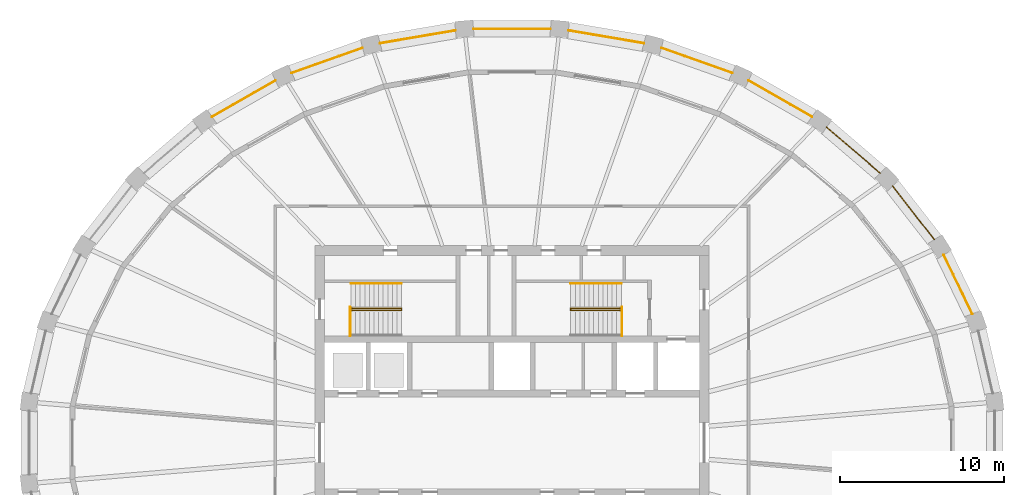
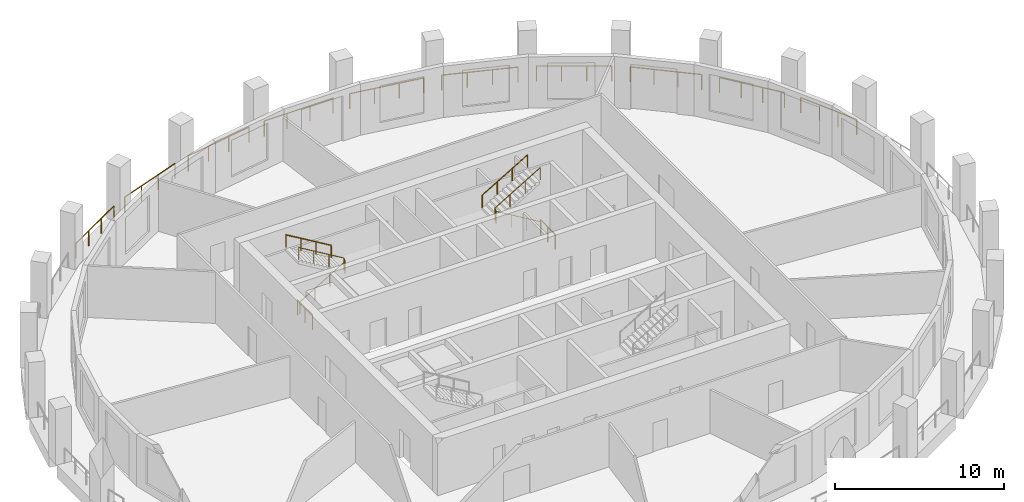
# One storey, part 9 of 10: 16 railings.
"""IFC4 building model written with IfcOpenShell, lengths in metres."""

from ifc_helpers import new_model, si_unit, direction, frame, origin, origin_2d, place, context, subcontext, project, spatial, circle, extrude, material, type_object, element, save


model = new_model("IFC4")

# Units and contexts
model_context = context("Model", 3, precision=1e-05, world=origin(), true_north=direction((0.0, 1.0)))
body_context = subcontext(model_context, "Body", "Model", "MODEL_VIEW")
ifc_project = project(units=[si_unit("LENGTHUNIT", "METRE"), si_unit("AREAUNIT", "SQUARE_METRE"), si_unit("VOLUMEUNIT", "CUBIC_METRE"), si_unit("PLANEANGLEUNIT", "RADIAN"), si_unit("MASSUNIT", "GRAM", prefix="KILO")], contexts=[model_context])

# Site, building, storey
site_placement = place(None, origin())
site = spatial("IfcSite", under=ifc_project, at=site_placement, CompositionType="ELEMENT")
building_placement = place(site_placement, origin())
building = spatial("IfcBuilding", under=site, at=building_placement, Name="Halqa Exchange Tower", CompositionType="ELEMENT")
storey_placement = place(building_placement, frame((0.0, 0.0, 280.300048828125)))
storey = spatial("IfcBuildingStorey", under=building, at=storey_placement, Name="L65", CompositionType="ELEMENT", Elevation=280.300048828125)

# Railings
ifc_material = material(Name="Stainless steel", Category="steel")
railing_type_1 = type_object("IfcRailingType", Name="Guard 1100 stainless steel", PredefinedType="GUARDRAIL", material=ifc_material)
railing_1_placement = place(storey_placement, frame((28.015625, 7.841796875, 0.0)))
element("IfcRailing", 1, at=railing_1_placement, inside=storey, type_object=railing_type_1, Name="Loggia guard 2", PredefinedType="GUARDRAIL", context=body_context, shape_type="SweptSolid", body=[
    extrude(circle(Radius=0.02392578125, at=origin_2d()), frame((0.0, 0.0, 1.076171875), z_axis=(-0.43508435382, 0.900389696221, 0.0), x_axis=(-0.900389696221, -0.43508435382, 0.0)), (0.0, 0.0, 1.0), 3.99072265625),
    extrude(circle(Radius=0.02099609375, at=origin_2d()), origin(), (0.0, 0.0, 1.0), 1.052001953125),
    extrude(circle(Radius=0.02099609375, at=origin_2d()), frame((-0.578857421875, 1.19775390625, 0.0)), (0.0, 0.0, 1.0), 1.052001953125),
    extrude(circle(Radius=0.02099609375, at=origin_2d()), frame((-1.157470703125, 2.3955078125, 0.0)), (0.0, 0.0, 1.0), 1.052001953125),
    extrude(circle(Radius=0.02099609375, at=origin_2d()), frame((-1.736328125, 3.59326171875, 0.0)), (0.0, 0.0, 1.0), 1.052001953125),
])
railing_2_placement = place(storey_placement, frame((25.70166015625, 12.364013671875, 0.0)))
element("IfcRailing", 2, at=railing_2_placement, inside=storey, type_object=railing_type_1, Name="Loggia guard 3", PredefinedType="GUARDRAIL", context=body_context, shape_type="SweptSolid", body=[
    extrude(circle(Radius=0.02392578125, at=origin_2d()), frame((0.0, 0.0, 1.076171875), z_axis=(-0.614791424405, 0.788689739047, 0.0), x_axis=(-0.788689739047, -0.614791424405, 0.0)), (0.0, 0.0, 1.0), 4.13037109375),
    extrude(circle(Radius=0.02099609375, at=origin_2d()), origin(), (0.0, 0.0, 1.0), 1.052001953125),
    extrude(circle(Radius=0.02099609375, at=origin_2d()), frame((-0.846435546875, 1.0859375, 0.0)), (0.0, 0.0, 1.0), 1.052001953125),
    extrude(circle(Radius=0.02099609375, at=origin_2d()), frame((-1.69287109375, 2.171630859375, 0.0)), (0.0, 0.0, 1.0), 1.052001953125),
    extrude(circle(Radius=0.02099609375, at=origin_2d()), frame((-2.539306640625, 3.257568359375, 0.0)), (0.0, 0.0, 1.0), 1.052001953125),
])
railing_3_placement = place(storey_placement, frame((22.406494140625, 16.413330078125, 0.0)))
element("IfcRailing", 3, at=railing_3_placement, inside=storey, type_object=railing_type_1, Name="Loggia guard 4", PredefinedType="GUARDRAIL", context=body_context, shape_type="SweptSolid", body=[
    extrude(circle(Radius=0.02392578125, at=origin_2d()), frame((0.0, 0.0, 1.076171875), z_axis=(-0.759224469346, 0.650828860105, 0.0), x_axis=(-0.650828860105, -0.759224469346, 0.0)), (0.0, 0.0, 1.0), 4.290771484375),
    extrude(circle(Radius=0.02099609375, at=origin_2d()), origin(), (0.0, 0.0, 1.0), 1.052001953125),
    extrude(circle(Radius=0.02099609375, at=origin_2d()), frame((-1.0859375, 0.930908203125, 0.0)), (0.0, 0.0, 1.0), 1.052001953125),
    extrude(circle(Radius=0.02099609375, at=origin_2d()), frame((-2.171630859375, 1.861572265625, 0.0)), (0.0, 0.0, 1.0), 1.052001953125),
    extrude(circle(Radius=0.02099609375, at=origin_2d()), frame((-3.257568359375, 2.79248046875, 0.0)), (0.0, 0.0, 1.0), 1.052001953125),
])
railing_4_placement = place(storey_placement, frame((18.25390625, 19.8369140625, 0.0)))
element("IfcRailing", 4, at=railing_4_placement, inside=storey, type_object=railing_type_1, Name="Loggia guard 5", PredefinedType="GUARDRAIL", context=body_context, shape_type="SweptSolid", body=[
    extrude(circle(Radius=0.02392578125, at=origin_2d()), frame((0.0, 0.0, 1.076171875), z_axis=(-0.867739182738, 0.497019829323, 0.0), x_axis=(-0.497019829323, -0.867739182738, 0.0)), (0.0, 0.0, 1.0), 4.446044921875),
    extrude(circle(Radius=0.02099609375, at=origin_2d()), origin(), (0.0, 0.0, 1.0), 1.052001953125),
    extrude(circle(Radius=0.02099609375, at=origin_2d()), frame((-1.285888671875, 0.736572265625, 0.0)), (0.0, 0.0, 1.0), 1.052001953125),
    extrude(circle(Radius=0.02099609375, at=origin_2d()), frame((-2.572021484375, 1.47314453125, 0.0)), (0.0, 0.0, 1.0), 1.052001953125),
    extrude(circle(Radius=0.02099609375, at=origin_2d()), frame((-3.85791015625, 2.209716796875, 0.0)), (0.0, 0.0, 1.0), 1.052001953125),
])
railing_5_placement = place(storey_placement, frame((13.400390625, 22.50390625, 0.0)))
element("IfcRailing", 5, at=railing_5_placement, inside=storey, type_object=railing_type_1, Name="Loggia guard 6", PredefinedType="GUARDRAIL", context=body_context, shape_type="SweptSolid", body=[
    extrude(circle(Radius=0.02392578125, at=origin_2d()), frame((0.0, 0.0, 1.076171875), z_axis=(-0.942372934401, 0.334564272611, 0.0), x_axis=(-0.334564272611, -0.942372934401, 0.0)), (0.0, 0.0, 1.0), 4.57470703125),
    extrude(circle(Radius=0.02099609375, at=origin_2d()), origin(), (0.0, 0.0, 1.0), 1.052001953125),
    extrude(circle(Radius=0.02099609375, at=origin_2d()), frame((-1.43701171875, 0.51025390625, 0.0)), (0.0, 0.0, 1.0), 1.052001953125),
    extrude(circle(Radius=0.02099609375, at=origin_2d()), frame((-2.8740234375, 1.020263671875, 0.0)), (0.0, 0.0, 1.0), 1.052001953125),
    extrude(circle(Radius=0.02099609375, at=origin_2d()), frame((-4.31103515625, 1.530517578125, 0.0)), (0.0, 0.0, 1.0), 1.052001953125),
])
railing_6_placement = place(storey_placement, frame((8.02880859375, 24.310791015625, 0.0)))
element("IfcRailing", 6, at=railing_6_placement, inside=storey, type_object=railing_type_1, Name="Loggia guard 7", PredefinedType="GUARDRAIL", context=body_context, shape_type="SweptSolid", body=[
    extrude(circle(Radius=0.02392578125, at=origin_2d()), frame((0.0, 0.0, 1.076171875), z_axis=(-0.985768001881, 0.168111410878, 0.0), x_axis=(-0.168111410878, -0.985768001881, 0.0)), (0.0, 0.0, 1.0), 4.658935546875),
    extrude(circle(Radius=0.02099609375, at=origin_2d()), origin(), (0.0, 0.0, 1.0), 1.052001953125),
    extrude(circle(Radius=0.02099609375, at=origin_2d()), frame((-1.53076171875, 0.260986328125, 0.0)), (0.0, 0.0, 1.0), 1.052001953125),
    extrude(circle(Radius=0.02099609375, at=origin_2d()), frame((-3.061767578125, 0.522216796875, 0.0)), (0.0, 0.0, 1.0), 1.052001953125),
    extrude(circle(Radius=0.02099609375, at=origin_2d()), frame((-4.592529296875, 0.783203125, 0.0)), (0.0, 0.0, 1.0), 1.052001953125),
])
railing_7_placement = place(storey_placement, frame((2.343994140625, 25.186279296875, 0.0)))
element("IfcRailing", 7, at=railing_7_placement, inside=storey, type_object=railing_type_1, Name="Loggia guard 8", PredefinedType="GUARDRAIL", context=body_context, shape_type="SweptSolid", body=[
    extrude(circle(Radius=0.02392578125, at=origin_2d()), frame((0.0, 0.0, 1.076171875), z_axis=(-1.0, 0.0, 0.0), x_axis=(0.0, -1.0, 0.0)), (0.0, 0.0, 1.0), 4.68798828125),
    extrude(circle(Radius=0.02099609375, at=origin_2d()), origin(), (0.0, 0.0, 1.0), 1.052001953125),
    extrude(circle(Radius=0.02099609375, at=origin_2d()), frame((-1.562744140625, 0.0, 0.0)), (0.0, 0.0, 1.0), 1.052001953125),
    extrude(circle(Radius=0.02099609375, at=origin_2d()), frame((-3.125244140625, 0.0, 0.0)), (0.0, 0.0, 1.0), 1.052001953125),
    extrude(circle(Radius=0.02099609375, at=origin_2d()), frame((-4.68798828125, 0.0, 0.0)), (0.0, 0.0, 1.0), 1.052001953125),
])
railing_8_placement = place(storey_placement, frame((-3.436279296875, 25.093994140625, 0.0)))
element("IfcRailing", 8, at=railing_8_placement, inside=storey, type_object=railing_type_1, Name="Loggia guard 9", PredefinedType="GUARDRAIL", context=body_context, shape_type="SweptSolid", body=[
    extrude(circle(Radius=0.02392578125, at=origin_2d()), frame((0.0, 0.0, 1.076171875), z_axis=(-0.985768001881, -0.168111410878, 0.0), x_axis=(0.168111410878, -0.985768001881, 0.0)), (0.0, 0.0, 1.0), 4.658935546875),
    extrude(circle(Radius=0.02099609375, at=origin_2d()), origin(), (0.0, 0.0, 1.0), 1.052001953125),
    extrude(circle(Radius=0.02099609375, at=origin_2d()), frame((-1.53076171875, -0.260986328125, 0.0)), (0.0, 0.0, 1.0), 1.052001953125),
    extrude(circle(Radius=0.02099609375, at=origin_2d()), frame((-3.061767578125, -0.522216796875, 0.0)), (0.0, 0.0, 1.0), 1.052001953125),
    extrude(circle(Radius=0.02099609375, at=origin_2d()), frame((-4.592529296875, -0.783203125, 0.0)), (0.0, 0.0, 1.0), 1.052001953125),
])
railing_9_placement = place(storey_placement, frame((-9.08935546875, 24.034423828125, 0.0)))
element("IfcRailing", 9, at=railing_9_placement, inside=storey, type_object=railing_type_1, Name="Loggia guard 10", PredefinedType="GUARDRAIL", context=body_context, shape_type="SweptSolid", body=[
    extrude(circle(Radius=0.02392578125, at=origin_2d()), frame((0.0, 0.0, 1.076171875), z_axis=(-0.942372934401, -0.334564272611, 0.0), x_axis=(0.334564272611, -0.942372934401, 0.0)), (0.0, 0.0, 1.0), 4.57470703125),
    extrude(circle(Radius=0.02099609375, at=origin_2d()), origin(), (0.0, 0.0, 1.0), 1.052001953125),
    extrude(circle(Radius=0.02099609375, at=origin_2d()), frame((-1.43701171875, -0.51025390625, 0.0)), (0.0, 0.0, 1.0), 1.052001953125),
    extrude(circle(Radius=0.02099609375, at=origin_2d()), frame((-2.8740234375, -1.020263671875, 0.0)), (0.0, 0.0, 1.0), 1.052001953125),
    extrude(circle(Radius=0.02099609375, at=origin_2d()), frame((-4.31103515625, -1.530517578125, 0.0)), (0.0, 0.0, 1.0), 1.052001953125),
])
railing_10_placement = place(storey_placement, frame((-14.39599609375, 22.046630859375, 0.0)))
element("IfcRailing", 10, at=railing_10_placement, inside=storey, type_object=railing_type_1, Name="Loggia guard 11", PredefinedType="GUARDRAIL", context=body_context, shape_type="SweptSolid", body=[
    extrude(circle(Radius=0.02392578125, at=origin_2d()), frame((0.0, 0.0, 1.076171875), z_axis=(-0.867739182738, -0.497019829323, 0.0), x_axis=(0.497019829323, -0.867739182738, 0.0)), (0.0, 0.0, 1.0), 4.446044921875),
    extrude(circle(Radius=0.02099609375, at=origin_2d()), origin(), (0.0, 0.0, 1.0), 1.052001953125),
    extrude(circle(Radius=0.02099609375, at=origin_2d()), frame((-1.285888671875, -0.736572265625, 0.0)), (0.0, 0.0, 1.0), 1.052001953125),
    extrude(circle(Radius=0.02099609375, at=origin_2d()), frame((-2.572021484375, -1.47314453125, 0.0)), (0.0, 0.0, 1.0), 1.052001953125),
    extrude(circle(Radius=0.02099609375, at=origin_2d()), frame((-3.85791015625, -2.209716796875, 0.0)), (0.0, 0.0, 1.0), 1.052001953125),
])
railing_type_2 = type_object("IfcRailingType", Name="Stair handrail 900", PredefinedType="HANDRAIL", material=ifc_material)
railing_11_placement = place(storey_placement, frame((-9.800048828125, 8.06005859375, 0.166748046875)))
element("IfcRailing", 11, at=railing_11_placement, inside=storey, type_object=railing_type_2, Name="Handrail ST1.1", PredefinedType="HANDRAIL", context=body_context, shape_type="SweptSolid", body=[
    extrude(circle(Radius=0.02392578125, at=origin_2d()), frame((0.0, 0.0, 0.8759765625), z_axis=(0.859308565015, 0.0, 0.511457515432), x_axis=(0.0, 1.0, 0.0)), (0.0, 0.0, 1.0), 3.58447265625),
    extrude(circle(Radius=0.02392578125, at=origin_2d()), frame((3.080078125, 0.0, 2.708984375), z_axis=(0.0, 0.614500226555, 0.788916644243), x_axis=(-1.0, 0.0, 0.0)), (0.0, 0.0, 1.0), 0.21142578125),
    extrude(circle(Radius=0.02392578125, at=origin_2d()), frame((3.080078125, 0.1298828125, 2.8759765625), z_axis=(-0.859308565015, 0.0, 0.511457515432), x_axis=(0.0, -1.0, 0.0)), (0.0, 0.0, 1.0), 3.58447265625),
    extrude(circle(Radius=0.02099609375, at=origin_2d()), origin(), (0.0, 0.0, 1.0), 0.851806640625),
    extrude(circle(Radius=0.02099609375, at=origin_2d()), frame((1.026611328125, 0.0, 0.611083984375)), (0.0, 0.0, 1.0), 0.851806640625),
    extrude(circle(Radius=0.02099609375, at=origin_2d()), frame((2.053466796875, 0.0, 1.22216796875)), (0.0, 0.0, 1.0), 0.851806640625),
    extrude(circle(Radius=0.02099609375, at=origin_2d()), frame((3.080078125, 0.0, 1.833251953125)), (0.0, 0.0, 1.0), 0.851806640625),
    extrude(circle(Radius=0.02099609375, at=origin_2d()), frame((3.080078125, 0.1298828125, 2.0)), (0.0, 0.0, 1.0), 0.851806640625),
    extrude(circle(Radius=0.02099609375, at=origin_2d()), frame((2.053466796875, 0.1298828125, 2.611083984375)), (0.0, 0.0, 1.0), 0.851806640625),
    extrude(circle(Radius=0.02099609375, at=origin_2d()), frame((1.026611328125, 0.1298828125, 3.22216796875)), (0.0, 0.0, 1.0), 0.851806640625),
    extrude(circle(Radius=0.02099609375, at=origin_2d()), frame((0.0, 0.1298828125, 3.833251953125)), (0.0, 0.0, 1.0), 0.851806640625),
])
railing_12_placement = place(storey_placement, frame((-6.719970703125, 9.699951171875, 2.166748046875)))
element("IfcRailing", 12, at=railing_12_placement, inside=storey, type_object=railing_type_2, Name="Handrail ST1.3", PredefinedType="HANDRAIL", context=body_context, shape_type="SweptSolid", body=[
    extrude(circle(Radius=0.02392578125, at=origin_2d()), frame((0.0, 0.0, 0.8759765625), z_axis=(-0.859308565015, 0.0, 0.511457515432), x_axis=(0.0, -1.0, 0.0)), (0.0, 0.0, 1.0), 3.58447265625),
    extrude(circle(Radius=0.02099609375, at=origin_2d()), origin(), (0.0, 0.0, 1.0), 0.851806640625),
    extrude(circle(Radius=0.02099609375, at=origin_2d()), frame((-1.026611328125, 0.0, 0.611083984375)), (0.0, 0.0, 1.0), 0.851806640625),
    extrude(circle(Radius=0.02099609375, at=origin_2d()), frame((-2.053466796875, 0.0, 1.22216796875)), (0.0, 0.0, 1.0), 0.851806640625),
    extrude(circle(Radius=0.02099609375, at=origin_2d()), frame((-3.080078125, 0.0, 1.833251953125)), (0.0, 0.0, 1.0), 0.851806640625),
])
railing_13_placement = place(storey_placement, frame((6.64990234375, 8.06005859375, 0.166748046875)))
element("IfcRailing", 13, at=railing_13_placement, inside=storey, type_object=railing_type_2, Name="Handrail ST2.1", PredefinedType="HANDRAIL", context=body_context, shape_type="SweptSolid", body=[
    extrude(circle(Radius=0.02392578125, at=origin_2d()), frame((0.0, 0.0, 0.8759765625), z_axis=(-0.859290745958, 0.0, 0.51148745235), x_axis=(0.0, -1.0, 0.0)), (0.0, 0.0, 1.0), 3.584228515625),
    extrude(circle(Radius=0.02392578125, at=origin_2d()), frame((-3.079833984375, 0.0, 2.708984375), z_axis=(0.0, 0.614500226555, 0.788916644243), x_axis=(-1.0, 0.0, 0.0)), (0.0, 0.0, 1.0), 0.21142578125),
    extrude(circle(Radius=0.02392578125, at=origin_2d()), frame((-3.079833984375, 0.1298828125, 2.8759765625), z_axis=(0.859290745958, 0.0, 0.51148745235), x_axis=(0.0, 1.0, 0.0)), (0.0, 0.0, 1.0), 3.584228515625),
    extrude(circle(Radius=0.02099609375, at=origin_2d()), origin(), (0.0, 0.0, 1.0), 0.851806640625),
    extrude(circle(Radius=0.02099609375, at=origin_2d()), frame((-1.026611328125, 0.0, 0.611083984375)), (0.0, 0.0, 1.0), 0.851806640625),
    extrude(circle(Radius=0.02099609375, at=origin_2d()), frame((-2.05322265625, 0.0, 1.22216796875)), (0.0, 0.0, 1.0), 0.851806640625),
    extrude(circle(Radius=0.02099609375, at=origin_2d()), frame((-3.079833984375, 0.0, 1.833251953125)), (0.0, 0.0, 1.0), 0.851806640625),
    extrude(circle(Radius=0.02099609375, at=origin_2d()), frame((-3.079833984375, 0.1298828125, 2.0)), (0.0, 0.0, 1.0), 0.851806640625),
    extrude(circle(Radius=0.02099609375, at=origin_2d()), frame((-2.05322265625, 0.1298828125, 2.611083984375)), (0.0, 0.0, 1.0), 0.851806640625),
    extrude(circle(Radius=0.02099609375, at=origin_2d()), frame((-1.026611328125, 0.1298828125, 3.22216796875)), (0.0, 0.0, 1.0), 0.851806640625),
    extrude(circle(Radius=0.02099609375, at=origin_2d()), frame((0.0, 0.1298828125, 3.833251953125)), (0.0, 0.0, 1.0), 0.851806640625),
])
railing_14_placement = place(storey_placement, frame((3.570068359375, 9.699951171875, 2.166748046875)))
element("IfcRailing", 14, at=railing_14_placement, inside=storey, type_object=railing_type_2, Name="Handrail ST2.3", PredefinedType="HANDRAIL", context=body_context, shape_type="SweptSolid", body=[
    extrude(circle(Radius=0.02392578125, at=origin_2d()), frame((0.0, 0.0, 0.8759765625), z_axis=(0.859290745958, 0.0, 0.51148745235), x_axis=(0.0, 1.0, 0.0)), (0.0, 0.0, 1.0), 3.584228515625),
    extrude(circle(Radius=0.02099609375, at=origin_2d()), origin(), (0.0, 0.0, 1.0), 0.851806640625),
    extrude(circle(Radius=0.02099609375, at=origin_2d()), frame((1.026611328125, 0.0, 0.611083984375)), (0.0, 0.0, 1.0), 0.851806640625),
    extrude(circle(Radius=0.02099609375, at=origin_2d()), frame((2.05322265625, 0.0, 1.22216796875)), (0.0, 0.0, 1.0), 0.851806640625),
    extrude(circle(Radius=0.02099609375, at=origin_2d()), frame((3.079833984375, 0.0, 1.833251953125)), (0.0, 0.0, 1.0), 0.851806640625),
])
railing_type_3 = type_object("IfcRailingType", Name="Stair well guard 1100", PredefinedType="GUARDRAIL", material=ifc_material)
for number, where, name in (
    (15, (-9.85009765625, 6.5, 0.0), "Guard ST1 well"),
    (16, (6.699951171875, 6.5, 0.0), "Guard ST2 well"),
):
    element("IfcRailing", number, at=place(storey_placement, frame(where)), inside=storey, type_object=railing_type_3, Name=name, PredefinedType="GUARDRAIL", context=body_context, shape_type="SweptSolid", body=[
        extrude(circle(Radius=0.02392578125, at=origin_2d()), frame((0.0, 0.0, 1.076171875), z_axis=(0.0, 1.0, 0.0), x_axis=(-1.0, 0.0, 0.0)), (0.0, 0.0, 1.0), 1.75),
        extrude(circle(Radius=0.02099609375, at=origin_2d()), origin(), (0.0, 0.0, 1.0), 1.052001953125),
        extrude(circle(Radius=0.02099609375, at=origin_2d()), frame((0.0, 0.875, 0.0)), (0.0, 0.0, 1.0), 1.052001953125),
        extrude(circle(Radius=0.02099609375, at=origin_2d()), frame((0.0, 1.75, 0.0)), (0.0, 0.0, 1.0), 1.052001953125),
    ])

save(model, "model.ifc")
